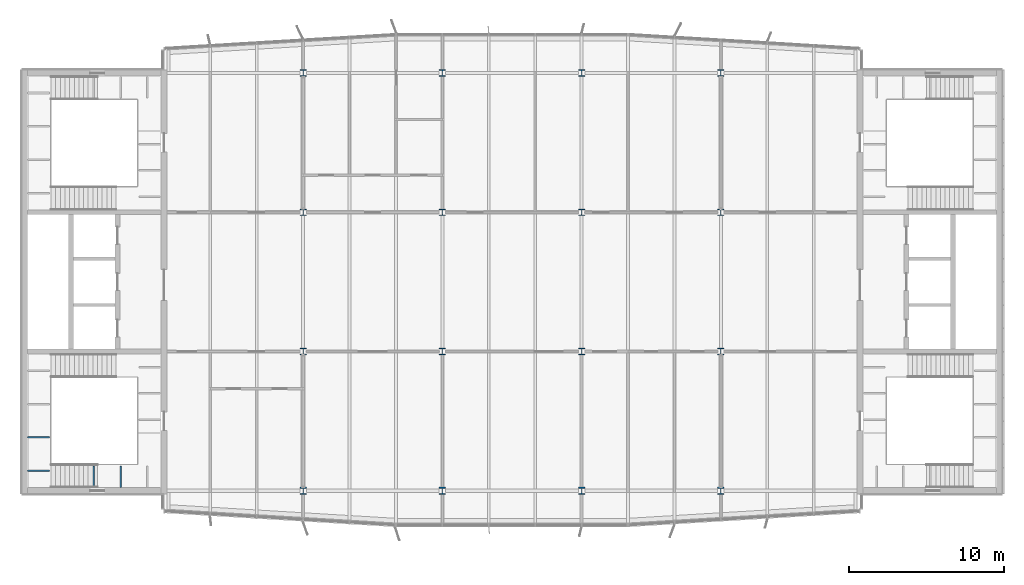
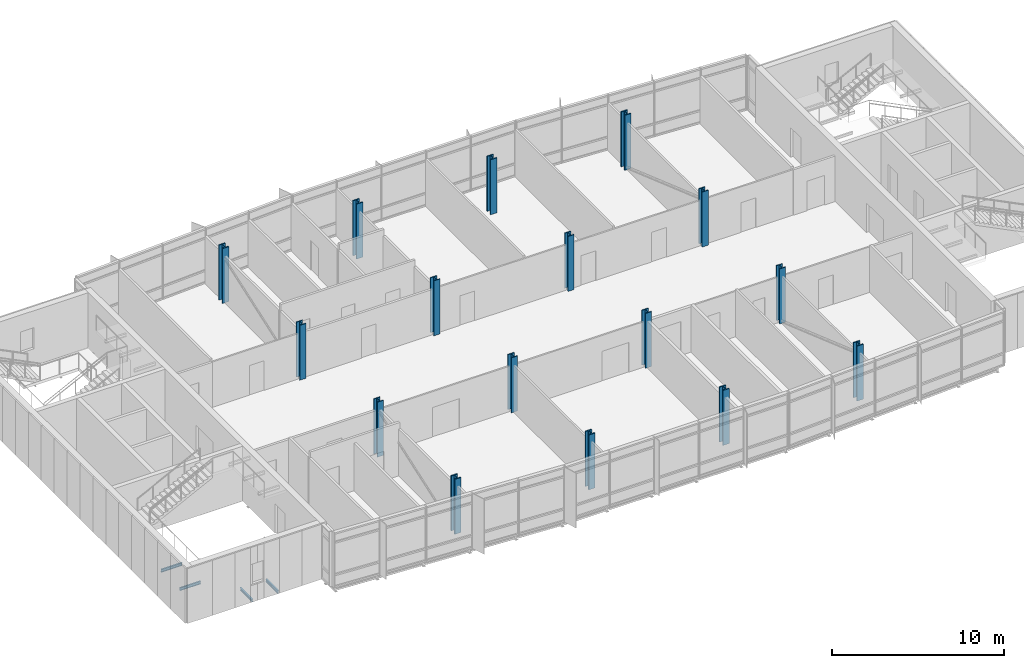
# One storey, part 1 of 17: 16 columns, 4 beams.
"""IFC4 building model written with IfcOpenShell, lengths in metres."""

from ifc_helpers import new_model, si_unit, direction, frame, origin, origin_2d, place, context, subcontext, project, spatial, i_section, extrude, material, material_profile, profile_set, type_object, element, save


model = new_model("IFC4")

# Units and contexts
model_context = context("Model", 3, precision=1e-05, world=origin(), true_north=direction((0.0, 1.0)))
body_context = subcontext(model_context, "Body", "Model", "MODEL_VIEW")
ifc_project = project(units=[si_unit("LENGTHUNIT", "METRE"), si_unit("AREAUNIT", "SQUARE_METRE"), si_unit("VOLUMEUNIT", "CUBIC_METRE"), si_unit("PLANEANGLEUNIT", "RADIAN"), si_unit("MASSUNIT", "GRAM", prefix="KILO")], contexts=[model_context])

# Site, building, storey
site_placement = place(None, origin())
site = spatial("IfcSite", under=ifc_project, at=site_placement, CompositionType="ELEMENT")
building_placement = place(site_placement, origin())
building = spatial("IfcBuilding", under=site, at=building_placement, Name="Azimuth Sports and Learning Centre", CompositionType="ELEMENT")
storey_placement = place(building_placement, frame((0.0, 0.0, 40.199951171875)))
storey = spatial("IfcBuildingStorey", under=building, at=storey_placement, Name="L08", CompositionType="ELEMENT", Elevation=40.199951171875)

# Columns
ifc_material_1 = material(Name="Steel S460", Category="steel")
ifc_material_profile_1 = material_profile(ifc_material_1, i_section(OverallWidth=0.412109375, OverallDepth=0.43505859375, WebThickness=0.035888671875, FlangeThickness=0.057373046875, FilletRadius=0.014892578125, at=origin_2d()), Name="HD 400x463")
ifc_profile_set_1 = profile_set([ifc_material_profile_1], Name="Steel S460")
column_type_1 = type_object("IfcColumnType", Name="Column HD 400x463", PredefinedType="COLUMN", material=ifc_profile_set_1)
for number, where, z_axis, x_axis, name in (
    (1, (72.0, 99.0, 0.0), (0.0, 0.0, 1.0), (1.0, 0.0, 0.0), "Tower column 9M L08"),
    (2, (81.0, 99.0, 0.0), (0.0, 0.0, 1.0), (1.0, 0.0, 0.0), "Tower column 10M L08"),
    (3, (90.0, 99.0, 0.0), (0.0, 0.0, 1.0), (1.0, 0.0, 0.0), "Tower column 11M L08"),
    (4, (99.0, 99.0, 0.0), (0.0, 0.0, 1.0), (1.0, 0.0, 0.0), "Tower column 12M L08"),
    (5, (72.0, 108.0, 0.0), (0.0, 0.0, 1.0), (1.0, 0.0, 0.0), "Tower column 9N L08"),
    (6, (81.0, 108.0, 0.0), (0.0, 0.0, 1.0), (1.0, 0.0, 0.0), "Tower column 10N L08"),
    (7, (90.0, 108.0, 0.0), (0.0, 0.0, 1.0), (1.0, 0.0, 0.0), "Tower column 11N L08"),
    (8, (99.0, 108.0, 0.0), (0.0, 0.0, 1.0), (1.0, 0.0, 0.0), "Tower column 12N L08"),
):
    element("IfcColumn", number, at=place(storey_placement, frame(where, z_axis=z_axis, x_axis=x_axis)), inside=storey, type_object=column_type_1, Name=name, PredefinedType="COLUMN", context=body_context, shape_type="SweptSolid", body=[
        extrude(i_section(OverallWidth=0.412109375, OverallDepth=0.43505859375, WebThickness=0.035888671875, FlangeThickness=0.057373046875, FilletRadius=0.014892578125, at=origin_2d()), origin(), (0.0, 0.0, 1.0), 3.900146484375),
    ])
ifc_material_2 = material(Name="Steel S460", Category="steel")
ifc_material_profile_2 = material_profile(ifc_material_2, i_section(OverallWidth=0.424072265625, OverallDepth=0.47412109375, WebThickness=0.047607421875, FlangeThickness=0.0771484375, FilletRadius=0.014892578125, at=origin_2d()), Name="HD 400x634")
ifc_profile_set_2 = profile_set([ifc_material_profile_2], Name="Steel S460")
column_type_2 = type_object("IfcColumnType", Name="Column HD 400x634", PredefinedType="COLUMN", material=ifc_profile_set_2)
for number, where, z_axis, x_axis, name in (
    (9, (72.0, 90.0, 0.0), (0.0, 0.0, 1.0), (1.0, 0.0, 0.0), "Hall column 9L L08"),
    (10, (81.0, 90.0, 0.0), (0.0, 0.0, 1.0), (1.0, 0.0, 0.0), "Hall column 10L L08"),
    (11, (90.0, 90.0, 0.0), (0.0, 0.0, 1.0), (1.0, 0.0, 0.0), "Hall column 11L L08"),
    (12, (99.0, 90.0, 0.0), (0.0, 0.0, 1.0), (1.0, 0.0, 0.0), "Hall column 12L L08"),
    (13, (72.0, 117.0, 0.0), (0.0, 0.0, 1.0), (1.0, 0.0, 0.0), "Hall column 9P L08"),
    (14, (81.0, 117.0, 0.0), (0.0, 0.0, 1.0), (1.0, 0.0, 0.0), "Hall column 10P L08"),
    (15, (90.0, 117.0, 0.0), (0.0, 0.0, 1.0), (1.0, 0.0, 0.0), "Hall column 11P L08"),
    (16, (99.0, 117.0, 0.0), (0.0, 0.0, 1.0), (1.0, 0.0, 0.0), "Hall column 12P L08"),
):
    element("IfcColumn", number, at=place(storey_placement, frame(where, z_axis=z_axis, x_axis=x_axis)), inside=storey, type_object=column_type_2, Name=name, PredefinedType="COLUMN", context=body_context, shape_type="SweptSolid", body=[
        extrude(i_section(OverallWidth=0.424072265625, OverallDepth=0.47412109375, WebThickness=0.047607421875, FlangeThickness=0.0771484375, FilletRadius=0.014892578125, at=origin_2d()), origin(), (0.0, 0.0, 1.0), 3.900146484375),
    ])

# Beams
ifc_material_3 = material(Name="Steel S355", Category="steel")
ifc_material_profile_3 = material_profile(ifc_material_3, i_section(OverallWidth=0.10009765625, OverallDepth=0.199951171875, WebThickness=0.005615234375, FlangeThickness=0.008544921875, FilletRadius=0.011962890625, at=origin_2d()), Name="IPE 200")
ifc_profile_set_3 = profile_set([ifc_material_profile_3], Name="Steel S355")
beam_type = type_object("IfcBeamType", Name="Beam IPE 200", PredefinedType="BEAM", material=ifc_profile_set_3)
for number, where, z_axis, x_axis, name in (
    (17, (58.473388671875, 90.199951171875, -0.300048828125), (0.0, 1.0, 0.0), (-1.0, 0.0, 0.0), "Landing bracket W1 L08 79"),
    (18, (60.199951171875, 90.199951171875, -0.300048828125), (0.0, 1.0, 0.0), (-1.0, 0.0, 0.0), "Landing bracket W1 L08 80"),
    (19, (54.199951171875, 91.288818359375, 1.35009765625), (1.0, 0.0, 0.0), (0.0, 1.0, 0.0), "Landing bracket W1 L08 82"),
    (20, (54.199951171875, 93.4462890625, 1.35009765625), (1.0, 0.0, 0.0), (0.0, 1.0, 0.0), "Landing bracket W1 L08 83"),
):
    element("IfcBeam", number, at=place(storey_placement, frame(where, z_axis=z_axis, x_axis=x_axis)), inside=storey, type_object=beam_type, Name=name, PredefinedType="BEAM", context=body_context, shape_type="SweptSolid", body=[
        extrude(i_section(OverallWidth=0.10009765625, OverallDepth=0.199951171875, WebThickness=0.005615234375, FlangeThickness=0.008544921875, FilletRadius=0.011962890625, at=origin_2d()), origin(), (0.0, 0.0, 1.0), 1.41015625),
    ])

save(model, "model.ifc")
